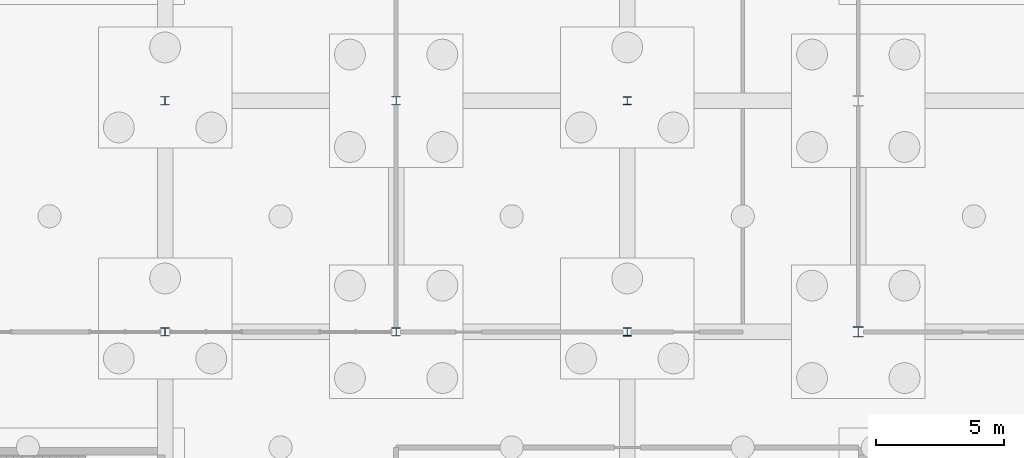
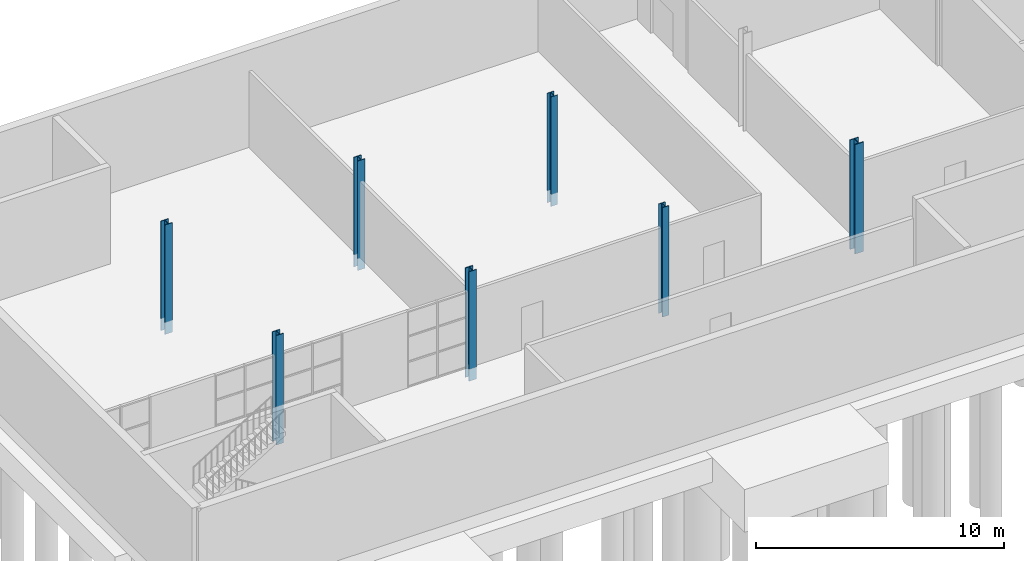
# One storey, part 4 of 17: 7 columns.
"""IFC4 building model written with IfcOpenShell, lengths in metres."""

from ifc_helpers import new_model, si_unit, direction, frame, origin, origin_2d, place, context, subcontext, project, spatial, i_section, extrude, material, material_profile, profile_set, type_object, element, save


model = new_model("IFC4")

# Units and contexts
model_context = context("Model", 3, precision=1e-05, world=origin(), true_north=direction((0.0, 1.0)))
body_context = subcontext(model_context, "Body", "Model", "MODEL_VIEW")
ifc_project = project(units=[si_unit("LENGTHUNIT", "METRE"), si_unit("AREAUNIT", "SQUARE_METRE"), si_unit("VOLUMEUNIT", "CUBIC_METRE"), si_unit("PLANEANGLEUNIT", "RADIAN"), si_unit("MASSUNIT", "GRAM", prefix="KILO")], contexts=[model_context])

# Site, building, storey
site_placement = place(None, origin())
site = spatial("IfcSite", under=ifc_project, at=site_placement, CompositionType="ELEMENT")
building_placement = place(site_placement, origin())
building = spatial("IfcBuilding", under=site, at=building_placement, Name="Halyard Row Museum", CompositionType="ELEMENT")
storey_placement = place(building_placement, frame((0.0, 0.0, -9.60009765625)))
storey = spatial("IfcBuildingStorey", under=building, at=storey_placement, Name="B2", CompositionType="ELEMENT", Elevation=-9.60009765625)

# Columns
ifc_material_1 = material(Name="Steel Grade 300", Category="steel")
ifc_material_profile_1 = material_profile(ifc_material_1, i_section(OverallWidth=0.31103515625, OverallDepth=0.3271484375, WebThickness=0.015625, FlangeThickness=0.02490234375, FilletRadius=0.0166015625, at=origin_2d()), Name="310UC158")
ifc_profile_set_1 = profile_set([ifc_material_profile_1], Name="Steel Grade 300")
column_type_1 = type_object("IfcColumnType", Name="Column 310UC158 interior (on cap)", PredefinedType="COLUMN", material=ifc_profile_set_1)
for number, where, z_axis, x_axis, name in (
    (1, (54.0, 27.0, -0.599853515625), (0.0, 0.0, 1.0), (1.0, 0.0, 0.0), "Column 7D B2"),
    (2, (54.0, 36.0, -0.599853515625), (0.0, 0.0, 1.0), (1.0, 0.0, 0.0), "Column 7E B2"),
):
    element("IfcColumn", number, at=place(storey_placement, frame(where, z_axis=z_axis, x_axis=x_axis)), inside=storey, type_object=column_type_1, Name=name, PredefinedType="COLUMN", context=body_context, shape_type="SweptSolid", body=[
        extrude(i_section(OverallWidth=0.31103515625, OverallDepth=0.3271484375, WebThickness=0.015625, FlangeThickness=0.02490234375, FilletRadius=0.0166015625, at=origin_2d()), origin(), (0.0, 0.0, 1.0), 5.39990234375),
    ])
ifc_material_2 = material(Name="Steel Grade 300", Category="steel")
ifc_material_profile_2 = material_profile(ifc_material_2, i_section(OverallWidth=0.35009765625, OverallDepth=0.339111328125, WebThickness=0.02490234375, FlangeThickness=0.031982421875, at=origin_2d()), Name="350WC230")
ifc_profile_set_2 = profile_set([ifc_material_profile_2], Name="Steel Grade 300")
column_type_2 = type_object("IfcColumnType", Name="Column 350WC230 interior (on cap)", PredefinedType="COLUMN", material=ifc_profile_set_2)
for number, where, z_axis, x_axis, name in (
    (3, (36.0, 27.0, -0.599853515625), (0.0, 0.0, 1.0), (1.0, 0.0, 0.0), "Column 5D B2"),
    (4, (45.0, 27.0, -0.599853515625), (0.0, 0.0, 1.0), (1.0, 0.0, 0.0), "Column 6D B2"),
    (5, (36.0, 36.0, -0.599853515625), (0.0, 0.0, 1.0), (1.0, 0.0, 0.0), "Column 5E B2"),
    (6, (45.0, 36.0, -0.599853515625), (0.0, 0.0, 1.0), (1.0, 0.0, 0.0), "Column 6E B2"),
):
    element("IfcColumn", number, at=place(storey_placement, frame(where, z_axis=z_axis, x_axis=x_axis)), inside=storey, type_object=column_type_2, Name=name, PredefinedType="COLUMN", context=body_context, shape_type="SweptSolid", body=[
        extrude(i_section(OverallWidth=0.35009765625, OverallDepth=0.339111328125, WebThickness=0.02490234375, FlangeThickness=0.031982421875, at=origin_2d()), origin(), (0.0, 0.0, 1.0), 5.39990234375),
    ])
ifc_material_3 = material(Name="Steel Grade 300", Category="steel")
ifc_material_profile_3 = material_profile(ifc_material_3, i_section(OverallWidth=0.39990234375, OverallDepth=0.4140625, WebThickness=0.02490234375, FlangeThickness=0.031982421875, at=origin_2d()), Name="400WC270")
ifc_profile_set_3 = profile_set([ifc_material_profile_3], Name="Steel Grade 300")
column_type_3 = type_object("IfcColumnType", Name="Column 400WC270 interior (on cap)", PredefinedType="COLUMN", material=ifc_profile_set_3)
column_placement = place(storey_placement, frame((63.0, 27.0, -0.599853515625), z_axis=(0.0, 0.0, 1.0), x_axis=(1.0, 0.0, 0.0)))
element("IfcColumn", 7, at=column_placement, inside=storey, type_object=column_type_3, Name="Column 8D B2", PredefinedType="COLUMN", context=body_context, shape_type="SweptSolid", body=[
    extrude(i_section(OverallWidth=0.39990234375, OverallDepth=0.4140625, WebThickness=0.02490234375, FlangeThickness=0.031982421875, at=origin_2d()), origin(), (0.0, 0.0, 1.0), 5.39990234375),
])

save(model, "model.ifc")
